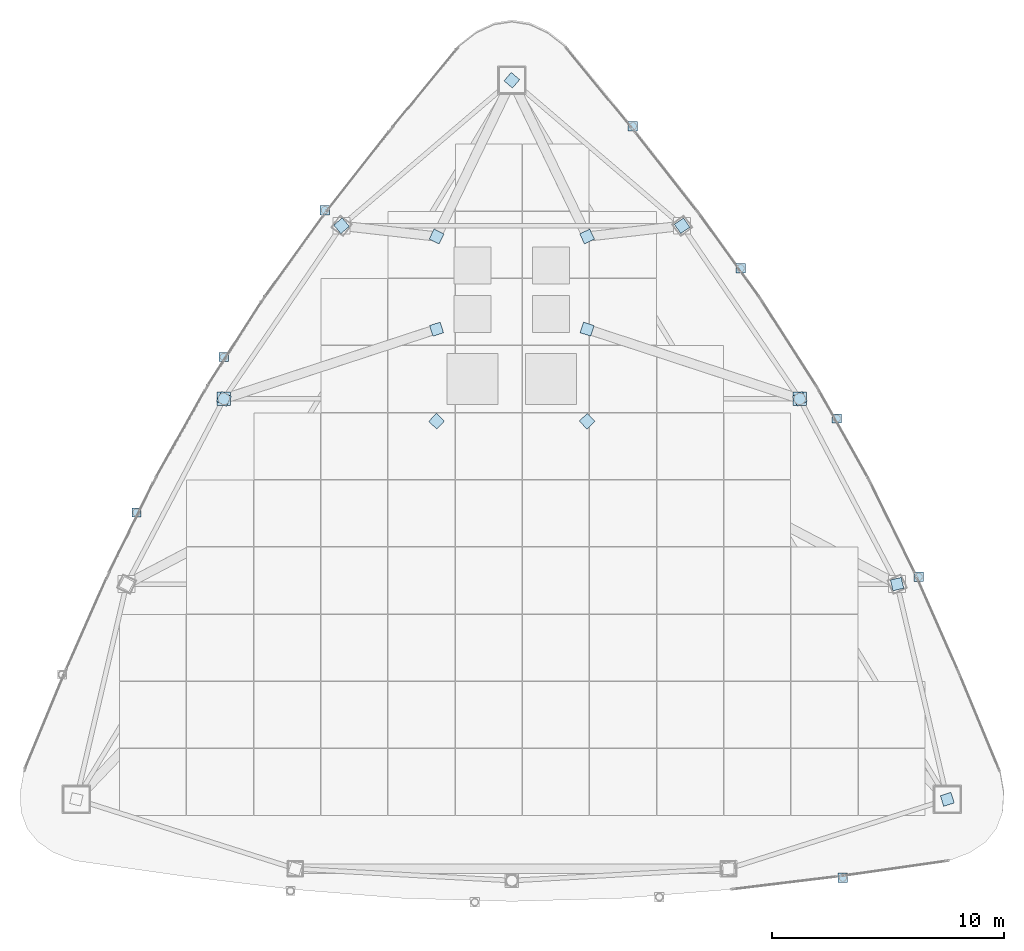
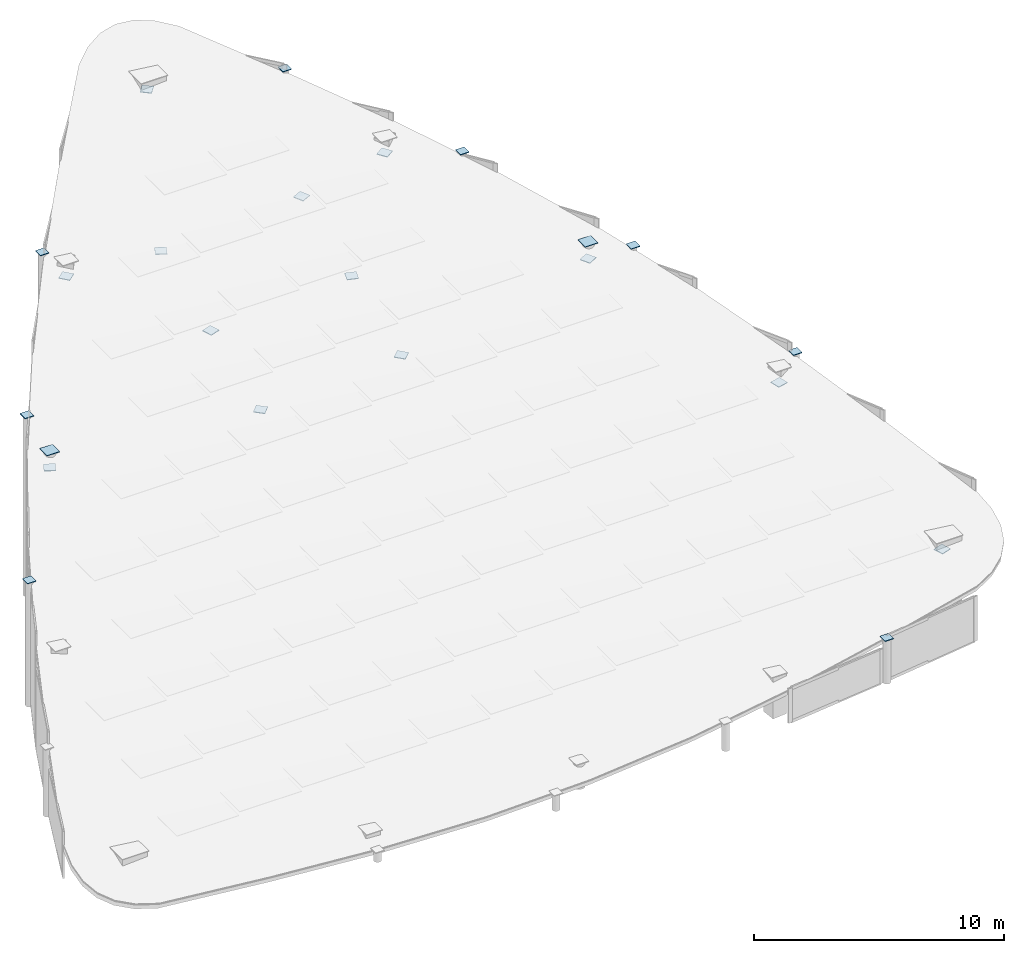
# One storey, part 20 of 21: 23 plates.
"""IFC4 building model written with IfcOpenShell, lengths in metres."""

from ifc_helpers import new_model, si_unit, direction, frame, origin, origin_2d, place, context, subcontext, project, spatial, rectangle, extrude, material, layer, layer_set, type_object, element, save


model = new_model("IFC4")

# Units and contexts
model_context = context("Model", 3, precision=1e-05, world=origin(), true_north=direction((0.0, 1.0)))
body_context = subcontext(model_context, "Body", "Model", "MODEL_VIEW")
ifc_project = project(units=[si_unit("LENGTHUNIT", "METRE"), si_unit("AREAUNIT", "SQUARE_METRE"), si_unit("VOLUMEUNIT", "CUBIC_METRE"), si_unit("PLANEANGLEUNIT", "RADIAN"), si_unit("MASSUNIT", "GRAM", prefix="KILO")], contexts=[model_context])

# Site, building, storey
site_placement = place(None, origin())
site = spatial("IfcSite", under=ifc_project, at=site_placement, CompositionType="ELEMENT")
building_placement = place(site_placement, origin())
building = spatial("IfcBuilding", under=site, at=building_placement, Name="Orvanel Arch Residences", CompositionType="ELEMENT")
storey_placement = place(building_placement, frame((0.0, 0.0, 314.89990234375)))
storey = spatial("IfcBuildingStorey", under=building, at=storey_placement, Name="RF", CompositionType="ELEMENT", Elevation=314.89990234375)

# Plates
ifc_material = material(Name="Structural steel AS/NZS 3678 Grade 350", Category="steel")
ifc_layer_1 = layer(ifc_material, 0.028076171875)
ifc_layer_set_1 = layer_set([ifc_layer_1], Name="Structural steel AS/NZS 3678 Grade 350")
plate_type_1 = type_object("IfcPlateType", Name="PL-CAP-28", PredefinedType="SHEET", material=ifc_layer_set_1)
for number, where, z_axis, x_axis, name in (
    (1, (20.569091796875, 27.64111328125, 8.1142578125), (0.0, 0.0, 1.0), (1.0, 0.0, 0.0), "RF hollow member end cap plate"),
    (2, (45.430908203125, 27.64111328125, 9.60498046875), (0.0, 0.0, 1.0), (1.0, 0.0, 0.0), "RF hollow member end cap plate"),
):
    element("IfcPlate", number, at=place(storey_placement, frame(where, z_axis=z_axis, x_axis=x_axis)), inside=storey, type_object=plate_type_1, Name=name, PredefinedType="SHEET", context=body_context, shape_type="SweptSolid", body=[
        extrude(rectangle(XDim=0.587890625, YDim=0.587890625, at=origin_2d()), origin(), (0.0, 0.0, 1.0), 0.028076171875),
    ])
ifc_layer_2 = layer(ifc_material, 0.031982421875)
ifc_layer_set_2 = layer_set([ifc_layer_2], Name="Structural steel AS/NZS 3678 Grade 350")
plate_type_2 = type_object("IfcPlateType", Name="PL-CAP-32", PredefinedType="SHEET", material=ifc_layer_set_2)
for number, where, z_axis, x_axis, name in (
    (3, (24.929931640625, 35.785888671875, 11.326171875), (0.0, 0.0, 1.0), (1.0, 0.0, 0.0), "RF hollow member end cap plate"),
    (4, (20.56201171875, 29.446044921875, 8.75), (0.0, 0.0, 1.0), (1.0, 0.0, 0.0), "RF hollow member end cap plate"),
    (5, (16.794921875, 22.73388671875, 6.07421875), (0.0, 0.0, 1.0), (1.0, 0.0, 0.0), "RF hollow member end cap plate"),
    (6, (47.29296875, 6.969970703125, 2.14990234375), (0.0, 0.0, 1.0), (1.0, 0.0, 0.0), "RF hollow member end cap plate"),
    (7, (50.56396484375, 19.9580078125, 7.0869140625), (0.0, 0.0, 1.0), (1.0, 0.0, 0.0), "RF hollow member end cap plate"),
    (8, (47.027099609375, 26.7958984375, 9.37109375), (0.0, 0.0, 1.0), (1.0, 0.0, 0.0), "RF hollow member end cap plate"),
    (9, (42.87890625, 33.280029296875, 11.48828125), (0.0, 0.0, 1.0), (1.0, 0.0, 0.0), "RF hollow member end cap plate"),
    (10, (38.22412109375, 39.409912109375, 13.447265625), (0.0, 0.0, 1.0), (1.0, 0.0, 0.0), "RF hollow member end cap plate"),
):
    element("IfcPlate", number, at=place(storey_placement, frame(where, z_axis=z_axis, x_axis=x_axis)), inside=storey, type_object=plate_type_2, Name=name, PredefinedType="SHEET", context=body_context, shape_type="SweptSolid", body=[
        extrude(rectangle(XDim=0.404052734375, YDim=0.404052734375, at=origin_2d()), origin(), (0.0, 0.0, 1.0), 0.031982421875),
    ])
for number, where, z_axis, x_axis, name in (
    (11, (20.569091796875, 27.64111328125, 7.27197265625), (0.0, 0.0, 1.0), (0.464842045725, 0.885393625754, 0.0), "RF hollow member end cap plate"),
    (12, (51.801025390625, 10.35107421875, 2.8349609375), (0.0, 0.0, 1.0), (0.953190667793, 0.30236989075, 0.0), "RF hollow member end cap plate"),
    (13, (49.633056640625, 19.64208984375, 6.09619140625), (0.0, 0.0, 1.0), (-0.226651307437, 0.973975967279, 0.0), "RF hollow member end cap plate"),
    (14, (45.430908203125, 27.64111328125, 8.76318359375), (0.0, 0.0, 1.0), (-0.464842045725, 0.885393625754, 0.0), "RF hollow member end cap plate"),
    (15, (40.35205078125, 35.113037109375, 11.18603515625), (0.0, 0.0, 1.0), (-0.562083377852, 0.827080574275, 0.0), "RF hollow member end cap plate"),
    (16, (33.0, 41.39794921875, 13.0390625), (0.0, 0.0, 1.0), (-0.7604059656, 0.64944804833, 0.0), "RF hollow member end cap plate"),
    (17, (25.64794921875, 35.113037109375, 10.30419921875), (0.0, 0.0, 1.0), (0.7604059656, 0.64944804833, 0.0), "RF hollow member end cap plate"),
    (18, (29.75, 26.675048828125, 7.47021484375), (0.0, 0.0, 1.0), (0.689619543736, 0.724171861437, 0.0), "RF hollow member end cap plate"),
    (19, (36.25, 26.675048828125, 7.85986328125), (0.0, 0.0, 1.0), (-0.689619543736, 0.724171861437, 0.0), "RF hollow member end cap plate"),
    (20, (29.75, 34.64990234375, 10.38134765625), (0.0, 0.0, 1.0), (0.433659084588, 0.901077021322, 0.0), "RF hollow member end cap plate"),
    (21, (36.25, 34.64990234375, 10.77099609375), (0.0, 0.0, 1.0), (-0.433659084588, 0.901077021322, 0.0), "RF hollow member end cap plate"),
    (22, (29.75, 30.64990234375, 8.9208984375), (0.0, 0.0, 1.0), (0.950515731628, 0.310676429631, 0.0), "RF hollow member end cap plate"),
    (23, (36.25, 30.64990234375, 9.31103515625), (0.0, 0.0, 1.0), (-0.950515731628, 0.310676429631, 0.0), "RF hollow member end cap plate"),
):
    element("IfcPlate", number, at=place(storey_placement, frame(where, z_axis=z_axis, x_axis=x_axis)), inside=storey, type_object=plate_type_2, Name=name, PredefinedType="SHEET", context=body_context, shape_type="SweptSolid", body=[
        extrude(rectangle(XDim=0.47998046875, YDim=0.47998046875, at=origin_2d()), origin(), (0.0, 0.0, 1.0), 0.031982421875),
    ])

save(model, "model.ifc")
